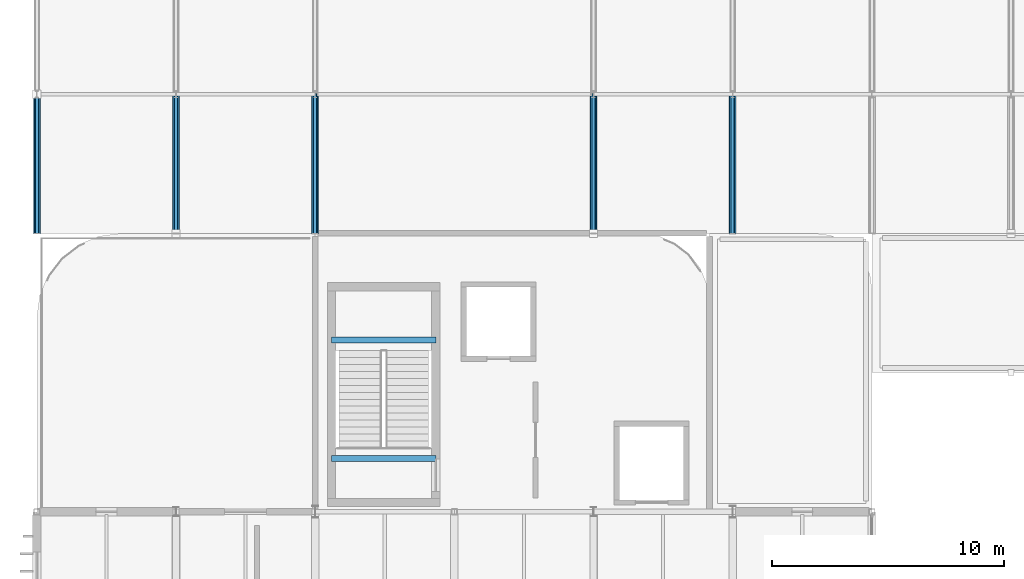
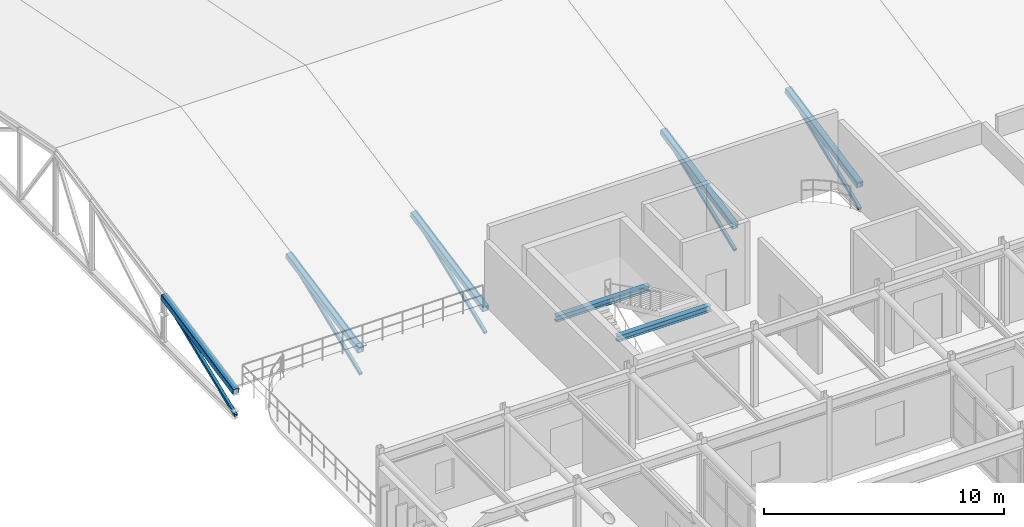
# One storey, part 20 of 83: 7 beams, 5 members.
"""IFC4 building model written with IfcOpenShell, lengths in metres."""

from ifc_helpers import new_model, si_unit, direction, frame, origin, origin_2d, place, context, subcontext, project, spatial, hollow_rectangle, i_section, extrude, material, material_profile, profile_set, type_object, element, save


model = new_model("IFC4")

# Units and contexts
model_context = context("Model", 3, precision=1e-05, world=origin(), true_north=direction((0.0, 1.0)))
body_context = subcontext(model_context, "Body", "Model", "MODEL_VIEW")
ifc_project = project(units=[si_unit("LENGTHUNIT", "METRE"), si_unit("AREAUNIT", "SQUARE_METRE"), si_unit("VOLUMEUNIT", "CUBIC_METRE"), si_unit("PLANEANGLEUNIT", "RADIAN"), si_unit("MASSUNIT", "GRAM", prefix="KILO")], contexts=[model_context])

# Site, building, storey
site_placement = place(None, origin())
site = spatial("IfcSite", under=ifc_project, at=site_placement, CompositionType="ELEMENT")
building_placement = place(site_placement, origin())
building = spatial("IfcBuilding", under=site, at=building_placement, Name="Varnakota Square Police Headquarters", CompositionType="ELEMENT")
storey_placement = place(building_placement, frame((0.0, 0.0, 18.0)))
storey = spatial("IfcBuildingStorey", under=building, at=storey_placement, Name="L04", CompositionType="ELEMENT", Elevation=18.0)

# Beams
ifc_material = material(Name="Steel IS 2062 Grade 350", Category="steel")
ifc_material_profile_1 = material_profile(ifc_material, i_section(OverallWidth=0.25, OverallDepth=0.300048828125, WebThickness=0.009521484375, FlangeThickness=0.010498046875, FilletRadius=0.011962890625, at=origin_2d()), Name="ISHB 300")
ifc_profile_set_1 = profile_set([ifc_material_profile_1], Name="Steel IS 2062 Grade 350")
beam_type_1 = type_object("IfcBeamType", Name="BM-ISHB300", PredefinedType="BEAM", material=ifc_profile_set_1)
for number, where, z_axis, x_axis, name in (
    (1, (18.699951171875, 70.400634765625, 1.7919921875), (1.0, 0.0, 0.0), (0.0, 1.0, 0.0), "Stair landing support beam BM-LND-0067"),
    (2, (18.699951171875, 65.300048828125, 3.8701171875), (1.0, 0.0, 0.0), (0.0, 1.0, 0.0), "Stair landing support beam BM-LND-0068"),
):
    element("IfcBeam", number, at=place(storey_placement, frame(where, z_axis=z_axis, x_axis=x_axis)), inside=storey, type_object=beam_type_1, Name=name, PredefinedType="BEAM", context=body_context, shape_type="SweptSolid", body=[
        extrude(i_section(OverallWidth=0.25, OverallDepth=0.300048828125, WebThickness=0.009521484375, FlangeThickness=0.010498046875, FilletRadius=0.011962890625, at=origin_2d()), origin(), (0.0, 0.0, 1.0), 4.5),
    ])
ifc_material_profile_2 = material_profile(ifc_material, hollow_rectangle(XDim=0.300048828125, YDim=0.300048828125, WallThickness=0.01611328125, InnerFilletRadius=0.01611328125, OuterFilletRadius=0.031982421875, at=origin_2d()), Name="SHS 300x300x16")
ifc_profile_set_2 = profile_set([ifc_material_profile_2], Name="Steel IS 2062 Grade 350")
beam_type_2 = type_object("IfcBeamType", Name="BM-TR-SHS300", PredefinedType="BEAM", material=ifc_profile_set_2)
for number, where, z_axis, x_axis, name in (
    (3, (6.0, 75.0, -0.280029296875), (0.0, 0.980582210276, 0.196108462057), (-1.0, 0.0, 0.0), "ROOF TRUSS top chord T1-P1"),
    (4, (12.0, 75.0, -0.280029296875), (0.0, 0.980582210276, 0.196108462057), (-1.0, 0.0, 0.0), "ROOF TRUSS top chord T2-P1"),
    (5, (18.0, 75.0, -0.280029296875), (0.0, 0.980582210276, 0.196108462057), (-1.0, 0.0, 0.0), "ROOF TRUSS top chord T3-P1"),
    (6, (30.0, 75.0, -0.280029296875), (0.0, 0.980582210276, 0.196108462057), (-1.0, 0.0, 0.0), "ROOF TRUSS top chord T4-P1"),
    (7, (36.0, 75.0, -0.280029296875), (0.0, 0.980582210276, 0.196108462057), (-1.0, 0.0, 0.0), "ROOF TRUSS top chord T5-P1"),
):
    element("IfcBeam", number, at=place(storey_placement, frame(where, z_axis=z_axis, x_axis=x_axis)), inside=storey, type_object=beam_type_2, Name=name, PredefinedType="BEAM", context=body_context, shape_type="SweptSolid", body=[
        extrude(hollow_rectangle(XDim=0.300048828125, YDim=0.300048828125, WallThickness=0.01611328125, InnerFilletRadius=0.01611328125, OuterFilletRadius=0.031982421875, at=origin_2d()), origin(), (0.0, 0.0, 1.0), 6.118896484375),
    ])

# Members
ifc_material_profile_3 = material_profile(ifc_material, hollow_rectangle(XDim=0.14990234375, YDim=0.14990234375, WallThickness=0.008056640625, InnerFilletRadius=0.008056640625, OuterFilletRadius=0.01611328125, at=origin_2d()), Name="SHS 150x150x8")
ifc_profile_set_3 = profile_set([ifc_material_profile_3], Name="Steel IS 2062 Grade 350")
member_type = type_object("IfcMemberType", Name="MEM-BR-SHS150", PredefinedType="BRACE", material=ifc_profile_set_3)
for number, where, z_axis, x_axis, name in (
    (8, (6.0, 75.0, -1.5), (0.0, 0.927411070394, 0.374043722727), (-1.0, 0.0, 0.0), "ROOF TRUSS diagonal web T1-P1"),
    (9, (12.0, 75.0, -1.5), (0.0, 0.927411070394, 0.374043722727), (-1.0, 0.0, 0.0), "ROOF TRUSS diagonal web T2-P1"),
    (10, (18.0, 75.0, -1.5), (0.0, 0.927411070394, 0.374043722727), (-1.0, 0.0, 0.0), "ROOF TRUSS diagonal web T3-P1"),
    (11, (30.0, 75.0, -1.5), (0.0, 0.927411070394, 0.374043722727), (-1.0, 0.0, 0.0), "ROOF TRUSS diagonal web T4-P1"),
    (12, (36.0, 75.0, -1.5), (0.0, 0.927411070394, 0.374043722727), (-1.0, 0.0, 0.0), "ROOF TRUSS diagonal web T5-P1"),
):
    element("IfcMember", number, at=place(storey_placement, frame(where, z_axis=z_axis, x_axis=x_axis)), inside=storey, type_object=member_type, Name=name, PredefinedType="BRACE", context=body_context, shape_type="SweptSolid", body=[
        extrude(hollow_rectangle(XDim=0.14990234375, YDim=0.14990234375, WallThickness=0.008056640625, InnerFilletRadius=0.008056640625, OuterFilletRadius=0.01611328125, at=origin_2d()), origin(), (0.0, 0.0, 1.0), 6.4697265625),
    ])

save(model, "model.ifc")
